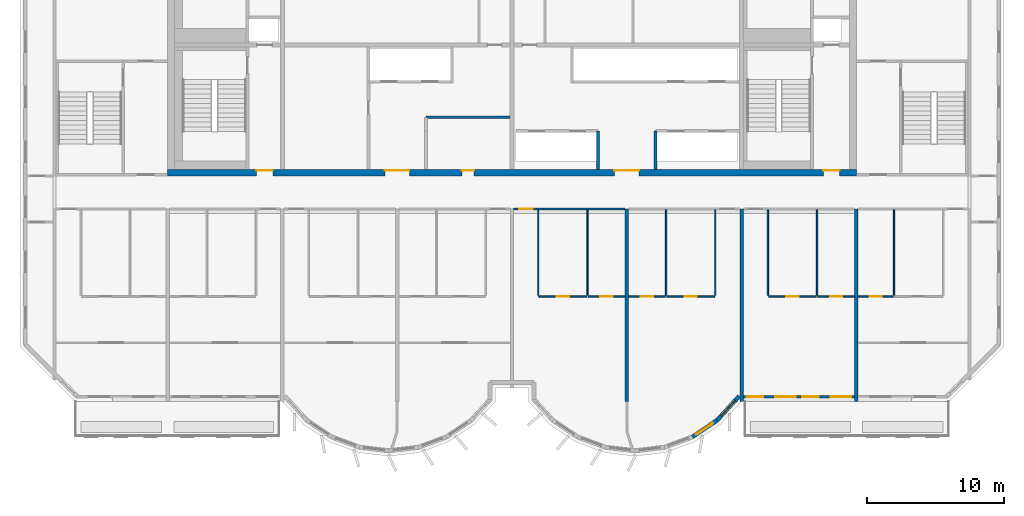
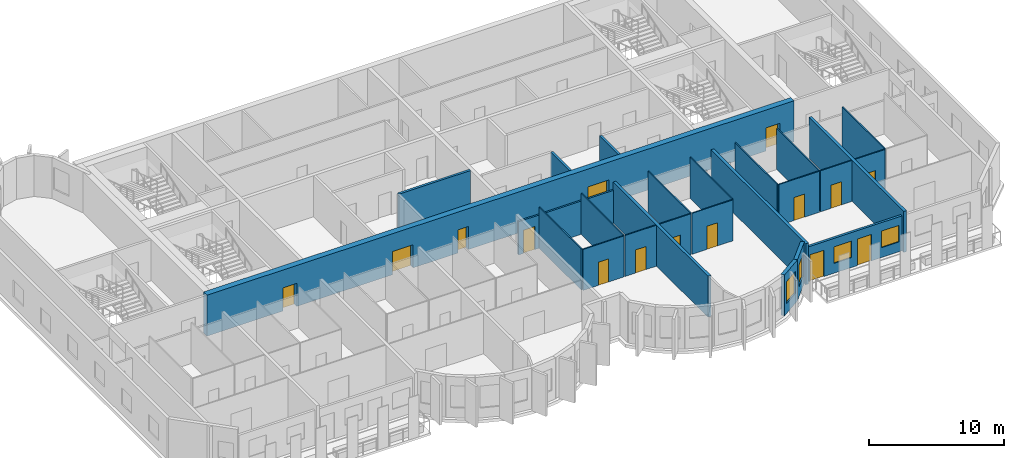
# One storey, part 5 of 12: 25 walls, 15 doors, 4 windows, 19 openings.
"""IFC4 building model written with IfcOpenShell, lengths in metres."""

from ifc_helpers import new_model, si_unit, direction, frame, frame_2d, origin, place, context, subcontext, project, spatial, rectangle, extrude, source, transform, mapped, material, layer, layer_set, type_object, element, fill, save


model = new_model("IFC4")

# Units and contexts
model_context = context("Model", 3, precision=1e-05, world=origin(), true_north=direction((0.0, 1.0)))
body_context = subcontext(model_context, "Body", "Model", "MODEL_VIEW")
ifc_project = project(units=[si_unit("LENGTHUNIT", "METRE"), si_unit("AREAUNIT", "SQUARE_METRE"), si_unit("VOLUMEUNIT", "CUBIC_METRE"), si_unit("PLANEANGLEUNIT", "RADIAN"), si_unit("MASSUNIT", "GRAM", prefix="KILO")], contexts=[model_context])

# Site, building, storey
site_placement = place(None, origin())
site = spatial("IfcSite", under=ifc_project, at=site_placement, CompositionType="ELEMENT")
building_placement = place(site_placement, origin())
building = spatial("IfcBuilding", under=site, at=building_placement, Name="Vanashikhar Sky Hotel", CompositionType="ELEMENT")
storey_placement = place(building_placement, frame((0.0, 0.0, 285.699951171875)))
storey = spatial("IfcBuildingStorey", under=building, at=storey_placement, Name="L68", CompositionType="ELEMENT", Elevation=285.699951171875)

# Wall, openings, doors
ifc_material_1 = material(Name="Concrete M50", Category="concrete")
ifc_layer_1 = layer(ifc_material_1, 0.5)
ifc_layer_set_1 = layer_set([ifc_layer_1], Name="RC core shell wall 500 Concrete M50")
wall_type_1 = type_object("IfcWallType", Name="RC core shell wall 500 Concrete M50", PredefinedType="SHEAR", material=ifc_layer_set_1)
shared_shape_1 = source(origin(), body_context, "Body", "SweptSolid", [
    extrude(rectangle(XDim=50.400146484375, YDim=0.5, at=frame_2d((25.2001953125, 0.0))), origin(), (0.0, 0.0, 1.0), 3.719970703125),
])
wall_1_placement = place(storey_placement, frame((25.199951171875, 22.25, 0.0), z_axis=(0.0, 0.0, 1.0), x_axis=(1.0, 0.0, 0.0)))
wall_1 = element("IfcWall", 1, at=wall_1_placement, inside=storey, type_object=wall_type_1, Name="KW-L68-KS", PredefinedType="SHEAR", context=body_context, shape_type="MappedRepresentation", body=[
    mapped(shared_shape_1, transform((0.0, 0.0, 0.0), scale=1.0)),
])
shared_shape_2 = source(origin(), body_context, "Body", "SweptSolid", [
    extrude(rectangle(XDim=1.800048828125, YDim=2.10009765625, at=frame_2d((0.89990234375, 1.050048828125))), frame((0.0, 0.260009765625, 0.0), z_axis=(0.0, -1.0, 0.0), x_axis=(1.0, 0.0, 0.0)), (0.0, 0.0, 1.0), 0.52001953125),
])
opening_1_placement = place(wall_1_placement, frame((15.89990234375, 0.0, 0.0)))
opening_1 = element("IfcOpeningElement", 2, at=opening_1_placement, cuts=wall_1, Name="Opening DC-3-A", PredefinedType="OPENING", context=body_context, shape_type="MappedRepresentation", body=[
    mapped(shared_shape_2, transform((0.0, 0.0, 0.0), scale=1.0)),
])
shared_shape_3 = source(origin(), body_context, "Body", "SweptSolid", [
    extrude(rectangle(XDim=0.89990234375, YDim=2.10009765625, at=frame_2d((0.449951171875, 1.050048828125))), frame((0.0, 0.260009765625, 0.0), z_axis=(0.0, -1.0, 0.0), x_axis=(1.0, 0.0, 0.0)), (0.0, 0.0, 1.0), 0.52001953125),
])
opening_2_placement = place(wall_1_placement, frame((21.52490234375, 0.0, 0.0)))
opening_2 = element("IfcOpeningElement", 3, at=opening_2_placement, cuts=wall_1, Name="Opening DC-4-A", PredefinedType="OPENING", context=body_context, shape_type="MappedRepresentation", body=[
    mapped(shared_shape_3, transform((0.0, 0.0, 0.0), scale=1.0)),
])
opening_3_placement = place(wall_1_placement, frame((32.699951171875, 0.0, 0.0)))
opening_3 = element("IfcOpeningElement", 4, at=opening_3_placement, cuts=wall_1, Name="Opening DC-3-A", PredefinedType="OPENING", context=body_context, shape_type="MappedRepresentation", body=[
    mapped(shared_shape_2, transform((0.0, 0.0, 0.0), scale=1.0)),
])
shared_shape_4 = source(origin(), body_context, "Body", "SweptSolid", [
    extrude(rectangle(XDim=1.199951171875, YDim=2.10009765625, at=frame_2d((0.60009765625, 1.050048828125))), frame((0.0, 0.260009765625, 0.0), z_axis=(0.0, -1.0, 0.0), x_axis=(1.0, 0.0, 0.0)), (0.0, 0.0, 1.0), 0.52001953125),
])
opening_4_placement = place(wall_1_placement, frame((6.5, 0.0, 0.0)))
opening_4 = element("IfcOpeningElement", 5, at=opening_4_placement, cuts=wall_1, Name="Opening DC-2", PredefinedType="OPENING", context=body_context, shape_type="MappedRepresentation", body=[
    mapped(shared_shape_4, transform((0.0, 0.0, 0.0), scale=1.0)),
])
opening_5_placement = place(wall_1_placement, frame((47.97509765625, 0.0, 0.0)))
opening_5 = element("IfcOpeningElement", 6, at=opening_5_placement, cuts=wall_1, Name="Opening DC-2", PredefinedType="OPENING", context=body_context, shape_type="MappedRepresentation", body=[
    mapped(shared_shape_4, transform((0.0, 0.0, 0.0), scale=1.0)),
])
ifc_material_2 = material(Name="Steel", Category="steel")
door_type_1 = type_object("IfcDoorType", Name="Firefighting lobby door 1200 FD120", OperationType="NOTDEFINED", PredefinedType="DOOR", material=ifc_material_2)
shared_shape_5 = source(origin(), body_context, "Body", "SweptSolid", [
    extrude(rectangle(XDim=1.199951171875, YDim=2.10009765625, at=frame_2d((0.60009765625, 1.050048828125))), frame((0.0, 0.1748046875, 0.0), z_axis=(0.0, -1.0, 0.0), x_axis=(1.0, 0.0, 0.0)), (0.0, 0.0, 1.0), 0.050048828125),
])
door_1_placement = place(opening_4_placement, origin())
door_1 = element("IfcDoor", 7, at=door_1_placement, inside=storey, type_object=door_type_1, Name="Firefighting lobby door 1200 FD120", OperationType="SINGLE_SWING_RIGHT", OverallHeight=2.10009765625, OverallWidth=1.199951171875, PredefinedType="DOOR", context=body_context, shape_type="MappedRepresentation", body=[
    mapped(shared_shape_5, transform((0.0, 0.0, 0.0), scale=1.0)),
])
fill(opening_4, door_1)
door_2_placement = place(opening_5_placement, origin())
door_2 = element("IfcDoor", 8, at=door_2_placement, inside=storey, type_object=door_type_1, Name="Firefighting lobby door 1200 FD120", OperationType="SINGLE_SWING_LEFT", OverallHeight=2.10009765625, OverallWidth=1.199951171875, PredefinedType="DOOR", context=body_context, shape_type="MappedRepresentation", body=[
    mapped(shared_shape_5, transform((0.0, 0.0, 0.0), scale=1.0)),
])
fill(opening_5, door_2)
door_type_2 = type_object("IfcDoorType", Name="Service door 900 FD60", OperationType="NOTDEFINED", PredefinedType="DOOR", material=ifc_material_2)
shared_shape_6 = source(origin(), body_context, "Body", "SweptSolid", [
    extrude(rectangle(XDim=0.89990234375, YDim=2.10009765625, at=frame_2d((0.449951171875, 1.050048828125))), frame((0.0, 0.1748046875, 0.0), z_axis=(0.0, -1.0, 0.0), x_axis=(1.0, 0.0, 0.0)), (0.0, 0.0, 1.0), 0.050048828125),
])
door_3_placement = place(opening_2_placement, origin())
door_3 = element("IfcDoor", 9, at=door_3_placement, inside=storey, type_object=door_type_2, Name="Service door 900 FD60", OperationType="SINGLE_SWING_RIGHT", OverallHeight=2.10009765625, OverallWidth=0.89990234375, PredefinedType="DOOR", context=body_context, shape_type="MappedRepresentation", body=[
    mapped(shared_shape_6, transform((0.0, 0.0, 0.0), scale=1.0)),
])
fill(opening_2, door_3)
ifc_material_3 = material(Name="Glass", Category="glass")
door_type_3 = type_object("IfcDoorType", Name="Lift lobby entrance door 1800 FD30S", OperationType="NOTDEFINED", PredefinedType="DOOR", material=ifc_material_3)
shared_shape_7 = source(origin(), body_context, "Body", "SweptSolid", [
    extrude(rectangle(XDim=1.800048828125, YDim=2.10009765625, at=frame_2d((0.89990234375, 1.050048828125))), frame((0.0, 0.1748046875, 0.0), z_axis=(0.0, -1.0, 0.0), x_axis=(1.0, 0.0, 0.0)), (0.0, 0.0, 1.0), 0.050048828125),
])
door_4_placement = place(opening_1_placement, origin())
door_4 = element("IfcDoor", 10, at=door_4_placement, inside=storey, type_object=door_type_3, Name="Lift lobby entrance door 1800 FD30S", OperationType="DOUBLE_DOOR_SINGLE_SWING", OverallHeight=2.10009765625, OverallWidth=1.800048828125, PredefinedType="DOOR", context=body_context, shape_type="MappedRepresentation", body=[
    mapped(shared_shape_7, transform((0.0, 0.0, 0.0), scale=1.0)),
])
fill(opening_1, door_4)
door_5_placement = place(opening_3_placement, origin())
door_5 = element("IfcDoor", 11, at=door_5_placement, inside=storey, type_object=door_type_3, Name="Lift lobby entrance door 1800 FD30S", OperationType="DOUBLE_DOOR_SINGLE_SWING", OverallHeight=2.10009765625, OverallWidth=1.800048828125, PredefinedType="DOOR", context=body_context, shape_type="MappedRepresentation", body=[
    mapped(shared_shape_7, transform((0.0, 0.0, 0.0), scale=1.0)),
])
fill(opening_3, door_5)

# Walls
ifc_layer_2 = layer(ifc_material_1, 0.25)
ifc_layer_set_2 = layer_set([ifc_layer_2], Name="RC shear wall 250 Concrete M50")
wall_type_2 = type_object("IfcWallType", Name="RC shear wall 250 Concrete M50", PredefinedType="SHEAR", material=ifc_layer_set_2)
shared_shape_8 = source(origin(), body_context, "Body", "SweptSolid", [
    extrude(rectangle(XDim=14.10009765625, YDim=0.25, at=frame_2d((7.050048828125, 0.0))), origin(), (0.0, 0.0, 1.0), 3.719970703125),
])
for number, where, z_axis, x_axis, name in (
    (12, (58.800048828125, 5.5, 0.0), (0.0, 0.0, 1.0), (0.0, 1.0, 0.0), "CW-L68-XW08-1"),
    (13, (67.199951171875, 5.5, 0.0), (0.0, 0.0, 1.0), (0.0, 1.0, 0.0), "CW-L68-XW09-1"),
    (14, (75.60009765625, 5.5, 0.0), (0.0, 0.0, 1.0), (0.0, 1.0, 0.0), "CW-L68-XW10-1"),
):
    element("IfcWall", number, at=place(storey_placement, frame(where, z_axis=z_axis, x_axis=x_axis)), inside=storey, type_object=wall_type_2, Name=name, PredefinedType="SHEAR", context=body_context, shape_type="MappedRepresentation", body=[
        mapped(shared_shape_8, transform((0.0, 0.0, 0.0), scale=1.0)),
    ])

# Wall, openings, windows, doors
ifc_layer_3 = layer(ifc_material_1, 0.199951171875)
ifc_layer_set_3 = layer_set([ifc_layer_3], Name="Front window wall 200")
wall_type_3 = type_object("IfcWallType", Name="Front window wall 200", PredefinedType="SOLIDWALL", material=ifc_layer_set_3)
shared_shape_9 = source(origin(), body_context, "Body", "SweptSolid", [
    extrude(rectangle(XDim=8.150146484375, YDim=0.199951171875, at=frame_2d((4.0751953125, 0.0))), origin(), (0.0, 0.0, 1.0), 3.170166015625),
])
wall_2_placement = place(storey_placement, frame((67.324951171875, 5.85009765625, 0.0), z_axis=(0.0, 0.0, 1.0), x_axis=(1.0, 0.0, 0.0)))
wall_2 = element("IfcWall", 15, at=wall_2_placement, inside=storey, type_object=wall_type_3, Name="Front window wall", PredefinedType="SOLIDWALL", context=body_context, shape_type="MappedRepresentation", body=[
    mapped(shared_shape_9, transform((0.0, 0.0, 0.0), scale=1.0)),
])
shared_shape_10 = source(origin(), body_context, "Body", "SweptSolid", [
    extrude(rectangle(XDim=1.199951171875, YDim=2.39990234375, at=frame_2d((0.60009765625, 1.199951171875))), frame((0.0, 0.10986328125, 0.0), z_axis=(0.0, -1.0, 0.0), x_axis=(1.0, 0.0, 0.0)), (0.0, 0.0, 1.0), 0.219970703125),
])
opening_6_placement = place(wall_2_placement, frame((0.25, 0.0, 0.0)))
opening_6 = element("IfcOpeningElement", 16, at=opening_6_placement, cuts=wall_2, Name="Opening BD-03", PredefinedType="OPENING", context=body_context, shape_type="MappedRepresentation", body=[
    mapped(shared_shape_10, transform((0.0, 0.0, 0.0), scale=1.0)),
])
shared_shape_11 = source(origin(), body_context, "Body", "SweptSolid", [
    extrude(rectangle(XDim=1.5, YDim=1.5, at=frame_2d((0.75, 0.75))), frame((0.0, 0.10986328125, 0.0), z_axis=(0.0, -1.0, 0.0), x_axis=(1.0, 0.0, 0.0)), (0.0, 0.0, 1.0), 0.219970703125),
])
opening_7_placement = place(wall_2_placement, frame((2.324951171875, 0.0, 0.89990234375)))
opening_7 = element("IfcOpeningElement", 17, at=opening_7_placement, cuts=wall_2, Name="Opening WN-1", PredefinedType="OPENING", context=body_context, shape_type="MappedRepresentation", body=[
    mapped(shared_shape_11, transform((0.0, 0.0, 0.0), scale=1.0)),
])
opening_8_placement = place(wall_2_placement, frame((4.324951171875, 0.0, 0.0)))
opening_8 = element("IfcOpeningElement", 18, at=opening_8_placement, cuts=wall_2, Name="Opening BD-04", PredefinedType="OPENING", context=body_context, shape_type="MappedRepresentation", body=[
    mapped(shared_shape_10, transform((0.0, 0.0, 0.0), scale=1.0)),
])
opening_9_placement = place(wall_2_placement, frame((6.39990234375, 0.0, 0.89990234375)))
opening_9 = element("IfcOpeningElement", 19, at=opening_9_placement, cuts=wall_2, Name="Opening WN-1", PredefinedType="OPENING", context=body_context, shape_type="MappedRepresentation", body=[
    mapped(shared_shape_11, transform((0.0, 0.0, 0.0), scale=1.0)),
])
window_type_1 = type_object("IfcWindowType", Name="Window 1500 x 1500", PartitioningType="SINGLE_PANEL", PredefinedType="WINDOW", material=ifc_material_3)
shared_shape_12 = source(origin(), body_context, "Body", "SweptSolid", [
    extrude(rectangle(XDim=1.5, YDim=1.5, at=frame_2d((0.75, 0.75))), frame((0.0, 0.030029296875, 0.0), z_axis=(0.0, -1.0, 0.0), x_axis=(1.0, 0.0, 0.0)), (0.0, 0.0, 1.0), 0.06005859375),
])
window_1_placement = place(opening_7_placement, origin())
window_1 = element("IfcWindow", 20, at=window_1_placement, inside=storey, type_object=window_type_1, Name="Window WN-1", OverallHeight=1.5, OverallWidth=1.5, PartitioningType="SINGLE_PANEL", PredefinedType="WINDOW", context=body_context, shape_type="MappedRepresentation", body=[
    mapped(shared_shape_12, transform((0.0, 0.0, 0.0), scale=1.0)),
])
fill(opening_7, window_1)
window_2_placement = place(opening_9_placement, origin())
window_2 = element("IfcWindow", 21, at=window_2_placement, inside=storey, type_object=window_type_1, Name="Window WN-1", OverallHeight=1.5, OverallWidth=1.5, PartitioningType="SINGLE_PANEL", PredefinedType="WINDOW", context=body_context, shape_type="MappedRepresentation", body=[
    mapped(shared_shape_12, transform((0.0, 0.0, 0.0), scale=1.0)),
])
fill(opening_9, window_2)
ifc_material_4 = material(Name="Aluminium", Category="aluminium")
door_type_4 = type_object("IfcDoorType", Name="Balcony sliding door 1200 x 2400", OperationType="NOTDEFINED", PredefinedType="DOOR", material=ifc_material_4)
shared_shape_13 = source(origin(), body_context, "Body", "SweptSolid", [
    extrude(rectangle(XDim=1.199951171875, YDim=2.39990234375, at=frame_2d((0.60009765625, 1.199951171875))), frame((0.0, 0.02490234375, 0.0), z_axis=(0.0, -1.0, 0.0), x_axis=(1.0, 0.0, 0.0)), (0.0, 0.0, 1.0), 0.050048828125),
])
door_6_placement = place(opening_6_placement, origin())
door_6 = element("IfcDoor", 22, at=door_6_placement, inside=storey, type_object=door_type_4, Name="Balcony sliding door", OperationType="SLIDING_TO_LEFT", OverallHeight=2.39990234375, OverallWidth=1.199951171875, PredefinedType="DOOR", context=body_context, shape_type="MappedRepresentation", body=[
    mapped(shared_shape_13, transform((0.0, 0.0, 0.0), scale=1.0)),
])
fill(opening_6, door_6)
door_7_placement = place(opening_8_placement, origin())
door_7 = element("IfcDoor", 23, at=door_7_placement, inside=storey, type_object=door_type_4, Name="Balcony sliding door", OperationType="SLIDING_TO_RIGHT", OverallHeight=2.39990234375, OverallWidth=1.199951171875, PredefinedType="DOOR", context=body_context, shape_type="MappedRepresentation", body=[
    mapped(shared_shape_13, transform((0.0, 0.0, 0.0), scale=1.0)),
])
fill(opening_8, door_7)

# Wall, opening, window
ifc_layer_4 = layer(ifc_material_1, 0.300048828125)
ifc_layer_set_4 = layer_set([ifc_layer_4], Name="Lobe wall 300")
wall_type_4 = type_object("IfcWallType", Name="Lobe wall 300", PredefinedType="SOLIDWALL", material=ifc_layer_set_4)
shared_shape_14 = source(origin(), body_context, "Body", "SweptSolid", [
    extrude(rectangle(XDim=2.398193359375, YDim=0.300048828125, at=frame_2d((1.19921875, 0.0))), origin(), (0.0, 0.0, 1.0), 3.719970703125),
])
wall_3_placement = place(storey_placement, frame((65.404296875, 4.13134765625, 0.0), z_axis=(0.0, 0.0, 1.0), x_axis=(0.675374189419, 0.737475222815, 0.0)))
wall_3 = element("IfcWall", 24, at=wall_3_placement, inside=storey, type_object=wall_type_4, Name="Lobe wall", PredefinedType="SOLIDWALL", context=body_context, shape_type="MappedRepresentation", body=[
    mapped(shared_shape_14, transform((0.0, 0.0, 0.0), scale=1.0)),
])
shared_shape_15 = source(origin(), body_context, "Body", "SweptSolid", [
    extrude(rectangle(XDim=1.5, YDim=2.0, at=frame_2d((0.75, 1.0))), frame((0.0, 0.16015625, 0.0), z_axis=(0.0, -1.0, 0.0), x_axis=(1.0, 0.0, 0.0)), (0.0, 0.0, 1.0), 0.320068359375),
])
opening_10_placement = place(wall_3_placement, frame((0.44921875, 0.0, 0.89990234375)))
opening_10 = element("IfcOpeningElement", 25, at=opening_10_placement, cuts=wall_3, Name="Opening WN-2", PredefinedType="OPENING", context=body_context, shape_type="MappedRepresentation", body=[
    mapped(shared_shape_15, transform((0.0, 0.0, 0.0), scale=1.0)),
])
window_type_2 = type_object("IfcWindowType", Name="Lobe window 1500 x 2000", PartitioningType="SINGLE_PANEL", PredefinedType="WINDOW", material=ifc_material_3)
shared_shape_16 = source(origin(), body_context, "Body", "SweptSolid", [
    extrude(rectangle(XDim=1.5, YDim=2.0, at=frame_2d((0.75, 1.0))), frame((0.0, 0.030029296875, 0.0), z_axis=(0.0, -1.0, 0.0), x_axis=(1.0, 0.0, 0.0)), (0.0, 0.0, 1.0), 0.06005859375),
])
window_3_placement = place(opening_10_placement, origin())
window_3 = element("IfcWindow", 26, at=window_3_placement, inside=storey, type_object=window_type_2, Name="Window WN-2", OverallHeight=2.0, OverallWidth=1.5, PartitioningType="SINGLE_PANEL", PredefinedType="WINDOW", context=body_context, shape_type="MappedRepresentation", body=[
    mapped(shared_shape_16, transform((0.0, 0.0, 0.0), scale=1.0)),
])
fill(opening_10, window_3)

shared_shape_17 = source(origin(), body_context, "Body", "SweptSolid", [
    extrude(rectangle(XDim=2.17578125, YDim=0.300048828125, at=frame_2d((1.087890625, 0.0))), origin(), (0.0, 0.0, 1.0), 3.719970703125),
])
wall_4_placement = place(storey_placement, frame((63.59912109375, 2.91650390625, 0.0), z_axis=(0.0, 0.0, 1.0), x_axis=(0.829625727223, 0.558319937607, 0.0)))
wall_4 = element("IfcWall", 27, at=wall_4_placement, inside=storey, type_object=wall_type_4, Name="Lobe wall", PredefinedType="SOLIDWALL", context=body_context, shape_type="MappedRepresentation", body=[
    mapped(shared_shape_17, transform((0.0, 0.0, 0.0), scale=1.0)),
])
opening_11_placement = place(wall_4_placement, frame((0.337890625, 0.0, 0.89990234375)))
opening_11 = element("IfcOpeningElement", 28, at=opening_11_placement, cuts=wall_4, Name="Opening WN-2", PredefinedType="OPENING", context=body_context, shape_type="MappedRepresentation", body=[
    mapped(shared_shape_15, transform((0.0, 0.0, 0.0), scale=1.0)),
])
window_4_placement = place(opening_11_placement, origin())
window_4 = element("IfcWindow", 29, at=window_4_placement, inside=storey, type_object=window_type_2, Name="Window WN-2", OverallHeight=2.0, OverallWidth=1.5, PartitioningType="SINGLE_PANEL", PredefinedType="WINDOW", context=body_context, shape_type="MappedRepresentation", body=[
    mapped(shared_shape_16, transform((0.0, 0.0, 0.0), scale=1.0)),
])
fill(opening_11, window_4)

# Walls
ifc_material_5 = material(Name="Concrete M40", Category="concrete")
ifc_layer_5 = layer(ifc_material_5, 0.199951171875)
ifc_layer_set_5 = layer_set([ifc_layer_5], Name="Shaft wall 200")
wall_type_5 = type_object("IfcWallType", Name="Shaft wall 200", PredefinedType="SOLIDWALL", material=ifc_layer_set_5)
shared_shape_18 = source(origin(), body_context, "Body", "SweptSolid", [
    extrude(rectangle(XDim=2.800048828125, YDim=0.199951171875, at=frame_2d((1.39990234375, 0.0))), origin(), (0.0, 0.0, 1.0), 3.719970703125),
])
for number, where, z_axis, x_axis, name in (
    (30, (60.89990234375, 22.5, 0.0), (0.0, 0.0, 1.0), (0.0, 1.0, 0.0), "Shaft wall 200"),
    (31, (56.699951171875, 22.5, 0.0), (0.0, 0.0, 1.0), (0.0, 1.0, 0.0), "Shaft wall 200"),
):
    element("IfcWall", number, at=place(storey_placement, frame(where, z_axis=z_axis, x_axis=x_axis)), inside=storey, type_object=wall_type_5, Name=name, PredefinedType="SOLIDWALL", context=body_context, shape_type="MappedRepresentation", body=[
        mapped(shared_shape_18, transform((0.0, 0.0, 0.0), scale=1.0)),
    ])
ifc_material_6 = material(Name="Gypsum board partition")
ifc_layer_6 = layer(ifc_material_6, 0.14990234375)
ifc_layer_set_6 = layer_set([ifc_layer_6], Name="Service partition 150")
wall_type_6 = type_object("IfcWallType", Name="Service partition 150", PredefinedType="PARTITIONING", material=ifc_layer_set_6)
shared_shape_19 = source(origin(), body_context, "Body", "SweptSolid", [
    extrude(rectangle(XDim=6.14990234375, YDim=0.199951171875, at=frame_2d((3.074951171875, 0.0))), origin(), (0.0, 0.0, 1.0), 3.719970703125),
])
wall_5_placement = place(storey_placement, frame((44.10009765625, 26.300048828125, 0.0), z_axis=(0.0, 0.0, 1.0), x_axis=(1.0, 0.0, 0.0)))
element("IfcWall", 32, at=wall_5_placement, inside=storey, type_object=wall_type_6, Name="Service partition 150", PredefinedType="PARTITIONING", context=body_context, shape_type="MappedRepresentation", body=[
    mapped(shared_shape_19, transform((0.0, 0.0, 0.0), scale=1.0)),
])
ifc_material_7 = material(Name="Gypsum plasterboard partition")
ifc_layer_7 = layer(ifc_material_7, 0.10009765625)
ifc_layer_set_7 = layer_set([ifc_layer_7], Name="Wet room partition 100")
wall_type_7 = type_object("IfcWallType", Name="Wet room partition 100", PredefinedType="PARTITIONING", material=ifc_layer_set_7)
shared_shape_20 = source(origin(), body_context, "Body", "SweptSolid", [
    extrude(rectangle(XDim=6.25, YDim=0.10009765625, at=frame_2d((3.125, 0.0))), origin(), (0.0, 0.0, 1.0), 3.719970703125),
])
for number, where, z_axis, x_axis, name in (
    (33, (52.324951171875, 13.27490234375, 0.0), (0.0, 0.0, 1.0), (0.0, 1.0, 0.0), "W-L68-PW025"),
    (34, (55.925048828125, 13.27490234375, 0.0), (0.0, 0.0, 1.0), (0.0, 1.0, 0.0), "W-L68-PW026"),
    (35, (65.27490234375, 13.27490234375, 0.0), (0.0, 0.0, 1.0), (0.0, 1.0, 0.0), "W-L68-PW030"),
    (36, (61.675048828125, 13.27490234375, 0.0), (0.0, 0.0, 1.0), (0.0, 1.0, 0.0), "W-L68-PW031"),
    (37, (69.125, 13.27490234375, 0.0), (0.0, 0.0, 1.0), (0.0, 1.0, 0.0), "W-L68-PW035"),
    (38, (72.72509765625, 13.27490234375, 0.0), (0.0, 0.0, 1.0), (0.0, 1.0, 0.0), "W-L68-PW036"),
    (39, (78.35009765625, 13.27490234375, 0.0), (0.0, 0.0, 1.0), (0.0, 1.0, 0.0), "W-L68-PW041"),
):
    element("IfcWall", number, at=place(storey_placement, frame(where, z_axis=z_axis, x_axis=x_axis)), inside=storey, type_object=wall_type_7, Name=name, PredefinedType="PARTITIONING", context=body_context, shape_type="MappedRepresentation", body=[
        mapped(shared_shape_20, transform((0.0, 0.0, 0.0), scale=1.0)),
    ])

# Wall, opening, door
shared_shape_21 = source(origin(), body_context, "Body", "SweptSolid", [
    extrude(rectangle(XDim=3.5, YDim=0.10009765625, at=frame_2d((1.75, 0.0))), origin(), (0.0, 0.0, 1.0), 3.719970703125),
])
wall_6_placement = place(storey_placement, frame((52.375, 13.199951171875, 0.0), z_axis=(0.0, 0.0, 1.0), x_axis=(1.0, 0.0, 0.0)))
wall_6 = element("IfcWall", 40, at=wall_6_placement, inside=storey, type_object=wall_type_7, Name="W-L68-PW027", PredefinedType="PARTITIONING", context=body_context, shape_type="MappedRepresentation", body=[
    mapped(shared_shape_21, transform((0.0, 0.0, 0.0), scale=1.0)),
])
shared_shape_22 = source(origin(), body_context, "Body", "SweptSolid", [
    extrude(rectangle(XDim=0.89990234375, YDim=2.10009765625, at=frame_2d((0.449951171875, 1.050048828125))), frame((0.0, 0.06005859375, 0.0), z_axis=(0.0, -1.0, 0.0), x_axis=(1.0, 0.0, 0.0)), (0.0, 0.0, 1.0), 0.1201171875),
])
opening_12_placement = place(wall_6_placement, frame((1.300048828125, 0.0, 0.0)))
opening_12 = element("IfcOpeningElement", 41, at=opening_12_placement, cuts=wall_6, Name="Opening D-02", PredefinedType="OPENING", context=body_context, shape_type="MappedRepresentation", body=[
    mapped(shared_shape_22, transform((0.0, 0.0, 0.0), scale=1.0)),
])
ifc_material_8 = material(Name="Timber door", Category="wood")
door_type_5 = type_object("IfcDoorType", Name="Internal door 900", OperationType="NOTDEFINED", PredefinedType="DOOR", material=ifc_material_8)
shared_shape_23 = source(origin(), body_context, "Body", "SweptSolid", [
    extrude(rectangle(XDim=0.89990234375, YDim=2.10009765625, at=frame_2d((0.449951171875, 1.050048828125))), frame((0.0, 0.02490234375, 0.0), z_axis=(0.0, -1.0, 0.0), x_axis=(1.0, 0.0, 0.0)), (0.0, 0.0, 1.0), 0.050048828125),
])
door_8_placement = place(opening_12_placement, origin())
door_8 = element("IfcDoor", 42, at=door_8_placement, inside=storey, type_object=door_type_5, Name="D-L68-017", OperationType="SINGLE_SWING_LEFT", OverallHeight=2.10009765625, OverallWidth=0.89990234375, PredefinedType="DOOR", context=body_context, shape_type="MappedRepresentation", body=[
    mapped(shared_shape_23, transform((0.0, 0.0, 0.0), scale=1.0)),
])
fill(opening_12, door_8)

wall_7_placement = place(storey_placement, frame((61.72509765625, 13.199951171875, 0.0), z_axis=(0.0, 0.0, 1.0), x_axis=(1.0, 0.0, 0.0)))
wall_7 = element("IfcWall", 43, at=wall_7_placement, inside=storey, type_object=wall_type_7, Name="W-L68-PW032", PredefinedType="PARTITIONING", context=body_context, shape_type="MappedRepresentation", body=[
    mapped(shared_shape_21, transform((0.0, 0.0, 0.0), scale=1.0)),
])
opening_13_placement = place(wall_7_placement, frame((1.300048828125, 0.0, 0.0)))
opening_13 = element("IfcOpeningElement", 44, at=opening_13_placement, cuts=wall_7, Name="Opening D-02", PredefinedType="OPENING", context=body_context, shape_type="MappedRepresentation", body=[
    mapped(shared_shape_22, transform((0.0, 0.0, 0.0), scale=1.0)),
])
door_9_placement = place(opening_13_placement, origin())
door_9 = element("IfcDoor", 45, at=door_9_placement, inside=storey, type_object=door_type_5, Name="D-L68-020", OperationType="SINGLE_SWING_RIGHT", OverallHeight=2.10009765625, OverallWidth=0.89990234375, PredefinedType="DOOR", context=body_context, shape_type="MappedRepresentation", body=[
    mapped(shared_shape_23, transform((0.0, 0.0, 0.0), scale=1.0)),
])
fill(opening_13, door_9)

wall_8_placement = place(storey_placement, frame((69.175048828125, 13.199951171875, 0.0), z_axis=(0.0, 0.0, 1.0), x_axis=(1.0, 0.0, 0.0)))
wall_8 = element("IfcWall", 46, at=wall_8_placement, inside=storey, type_object=wall_type_7, Name="W-L68-PW037", PredefinedType="PARTITIONING", context=body_context, shape_type="MappedRepresentation", body=[
    mapped(shared_shape_21, transform((0.0, 0.0, 0.0), scale=1.0)),
])
opening_14_placement = place(wall_8_placement, frame((1.300048828125, 0.0, 0.0)))
opening_14 = element("IfcOpeningElement", 47, at=opening_14_placement, cuts=wall_8, Name="Opening D-02", PredefinedType="OPENING", context=body_context, shape_type="MappedRepresentation", body=[
    mapped(shared_shape_22, transform((0.0, 0.0, 0.0), scale=1.0)),
])
door_10_placement = place(opening_14_placement, origin())
door_10 = element("IfcDoor", 48, at=door_10_placement, inside=storey, type_object=door_type_5, Name="D-L68-023", OperationType="SINGLE_SWING_LEFT", OverallHeight=2.10009765625, OverallWidth=0.89990234375, PredefinedType="DOOR", context=body_context, shape_type="MappedRepresentation", body=[
    mapped(shared_shape_23, transform((0.0, 0.0, 0.0), scale=1.0)),
])
fill(opening_14, door_10)

shared_shape_24 = source(origin(), body_context, "Body", "SweptSolid", [
    extrude(rectangle(XDim=2.574951171875, YDim=0.10009765625, at=frame_2d((1.28759765625, 0.0))), origin(), (0.0, 0.0, 1.0), 3.719970703125),
])
wall_9_placement = place(storey_placement, frame((75.72509765625, 13.199951171875, 0.0), z_axis=(0.0, 0.0, 1.0), x_axis=(1.0, 0.0, 0.0)))
wall_9 = element("IfcWall", 49, at=wall_9_placement, inside=storey, type_object=wall_type_7, Name="W-L68-PW043", PredefinedType="PARTITIONING", context=body_context, shape_type="MappedRepresentation", body=[
    mapped(shared_shape_24, transform((0.0, 0.0, 0.0), scale=1.0)),
])
opening_15_placement = place(wall_9_placement, frame((0.837890625, 0.0, 0.0)))
opening_15 = element("IfcOpeningElement", 50, at=opening_15_placement, cuts=wall_9, Name="Opening D-02", PredefinedType="OPENING", context=body_context, shape_type="MappedRepresentation", body=[
    mapped(shared_shape_22, transform((0.0, 0.0, 0.0), scale=1.0)),
])
door_11_placement = place(opening_15_placement, origin())
door_11 = element("IfcDoor", 51, at=door_11_placement, inside=storey, type_object=door_type_5, Name="D-L68-027", OperationType="SINGLE_SWING_RIGHT", OverallHeight=2.10009765625, OverallWidth=0.89990234375, PredefinedType="DOOR", context=body_context, shape_type="MappedRepresentation", body=[
    mapped(shared_shape_23, transform((0.0, 0.0, 0.0), scale=1.0)),
])
fill(opening_15, door_11)

shared_shape_25 = source(origin(), body_context, "Body", "SweptSolid", [
    extrude(rectangle(XDim=2.699951171875, YDim=0.10009765625, at=frame_2d((1.35009765625, 0.0))), origin(), (0.0, 0.0, 1.0), 3.719970703125),
])
wall_10_placement = place(storey_placement, frame((55.97509765625, 13.199951171875, 0.0), z_axis=(0.0, 0.0, 1.0), x_axis=(1.0, 0.0, 0.0)))
wall_10 = element("IfcWall", 52, at=wall_10_placement, inside=storey, type_object=wall_type_7, Name="W-L68-PW028", PredefinedType="PARTITIONING", context=body_context, shape_type="MappedRepresentation", body=[
    mapped(shared_shape_25, transform((0.0, 0.0, 0.0), scale=1.0)),
])
opening_16_placement = place(wall_10_placement, frame((0.89990234375, 0.0, 0.0)))
opening_16 = element("IfcOpeningElement", 53, at=opening_16_placement, cuts=wall_10, Name="Opening D-02", PredefinedType="OPENING", context=body_context, shape_type="MappedRepresentation", body=[
    mapped(shared_shape_22, transform((0.0, 0.0, 0.0), scale=1.0)),
])
door_12_placement = place(opening_16_placement, origin())
door_12 = element("IfcDoor", 54, at=door_12_placement, inside=storey, type_object=door_type_5, Name="D-L68-018", OperationType="SINGLE_SWING_LEFT", OverallHeight=2.10009765625, OverallWidth=0.89990234375, PredefinedType="DOOR", context=body_context, shape_type="MappedRepresentation", body=[
    mapped(shared_shape_23, transform((0.0, 0.0, 0.0), scale=1.0)),
])
fill(opening_16, door_12)

wall_11_placement = place(storey_placement, frame((58.925048828125, 13.199951171875, 0.0), z_axis=(0.0, 0.0, 1.0), x_axis=(1.0, 0.0, 0.0)))
wall_11 = element("IfcWall", 55, at=wall_11_placement, inside=storey, type_object=wall_type_7, Name="W-L68-PW033", PredefinedType="PARTITIONING", context=body_context, shape_type="MappedRepresentation", body=[
    mapped(shared_shape_25, transform((0.0, 0.0, 0.0), scale=1.0)),
])
opening_17_placement = place(wall_11_placement, frame((0.89990234375, 0.0, 0.0)))
opening_17 = element("IfcOpeningElement", 56, at=opening_17_placement, cuts=wall_11, Name="Opening D-02", PredefinedType="OPENING", context=body_context, shape_type="MappedRepresentation", body=[
    mapped(shared_shape_22, transform((0.0, 0.0, 0.0), scale=1.0)),
])
door_13_placement = place(opening_17_placement, origin())
door_13 = element("IfcDoor", 57, at=door_13_placement, inside=storey, type_object=door_type_5, Name="D-L68-021", OperationType="SINGLE_SWING_RIGHT", OverallHeight=2.10009765625, OverallWidth=0.89990234375, PredefinedType="DOOR", context=body_context, shape_type="MappedRepresentation", body=[
    mapped(shared_shape_23, transform((0.0, 0.0, 0.0), scale=1.0)),
])
fill(opening_17, door_13)

ifc_layer_8 = layer(ifc_material_7, 0.14990234375)
ifc_layer_set_8 = layer_set([ifc_layer_8], Name="Corridor and demising partition 150")
wall_type_8 = type_object("IfcWallType", Name="Corridor and demising partition 150", PredefinedType="PARTITIONING", material=ifc_layer_set_8)
shared_shape_26 = source(origin(), body_context, "Body", "SweptSolid", [
    extrude(rectangle(XDim=8.150146484375, YDim=0.14990234375, at=frame_2d((4.0751953125, 0.0))), origin(), (0.0, 0.0, 1.0), 3.02001953125),
])
wall_12_placement = place(storey_placement, frame((50.52490234375, 19.60009765625, 0.0), z_axis=(0.0, 0.0, 1.0), x_axis=(1.0, 0.0, 0.0)))
wall_12 = element("IfcWall", 58, at=wall_12_placement, inside=storey, type_object=wall_type_8, Name="W-L68-PW029", PredefinedType="PARTITIONING", context=body_context, shape_type="MappedRepresentation", body=[
    mapped(shared_shape_26, transform((0.0, 0.0, 0.0), scale=1.0)),
])
shared_shape_27 = source(origin(), body_context, "Body", "SweptSolid", [
    extrude(rectangle(XDim=1.0, YDim=2.10009765625, at=frame_2d((0.5, 1.050048828125))), frame((0.0, 0.0849609375, 0.0), z_axis=(0.0, -1.0, 0.0), x_axis=(1.0, 0.0, 0.0)), (0.0, 0.0, 1.0), 0.169921875),
])
opening_18_placement = place(wall_12_placement, frame((0.39990234375, 0.0, 0.0)))
opening_18 = element("IfcOpeningElement", 59, at=opening_18_placement, cuts=wall_12, Name="Opening D-01", PredefinedType="OPENING", context=body_context, shape_type="MappedRepresentation", body=[
    mapped(shared_shape_27, transform((0.0, 0.0, 0.0), scale=1.0)),
])
ifc_material_9 = material(Name="Timber fire door", Category="wood")
door_type_6 = type_object("IfcDoorType", Name="Guest entry door 1000 FD30S", OperationType="NOTDEFINED", PredefinedType="DOOR", material=ifc_material_9)
shared_shape_28 = source(origin(), body_context, "Body", "SweptSolid", [
    extrude(rectangle(XDim=1.0, YDim=2.10009765625, at=frame_2d((0.5, 1.050048828125))), frame((0.0, 0.02490234375, 0.0), z_axis=(0.0, -1.0, 0.0), x_axis=(1.0, 0.0, 0.0)), (0.0, 0.0, 1.0), 0.050048828125),
])
door_14_placement = place(opening_18_placement, origin())
door_14 = element("IfcDoor", 60, at=door_14_placement, inside=storey, type_object=door_type_6, Name="D-L68-019", OperationType="SINGLE_SWING_LEFT", OverallHeight=2.10009765625, OverallWidth=1.0, PredefinedType="DOOR", context=body_context, shape_type="MappedRepresentation", body=[
    mapped(shared_shape_28, transform((0.0, 0.0, 0.0), scale=1.0)),
])
fill(opening_18, door_14)

shared_shape_29 = source(origin(), body_context, "Body", "SweptSolid", [
    extrude(rectangle(XDim=2.7001953125, YDim=0.10009765625, at=frame_2d((1.35009765625, 0.0))), origin(), (0.0, 0.0, 1.0), 3.719970703125),
])
wall_13_placement = place(storey_placement, frame((72.77490234375, 13.199951171875, 0.0), z_axis=(0.0, 0.0, 1.0), x_axis=(1.0, 0.0, 0.0)))
wall_13 = element("IfcWall", 61, at=wall_13_placement, inside=storey, type_object=wall_type_7, Name="W-L68-PW038", PredefinedType="PARTITIONING", context=body_context, shape_type="MappedRepresentation", body=[
    mapped(shared_shape_29, transform((0.0, 0.0, 0.0), scale=1.0)),
])
opening_19_placement = place(wall_13_placement, frame((0.89990234375, 0.0, 0.0)))
opening_19 = element("IfcOpeningElement", 62, at=opening_19_placement, cuts=wall_13, Name="Opening D-02", PredefinedType="OPENING", context=body_context, shape_type="MappedRepresentation", body=[
    mapped(shared_shape_22, transform((0.0, 0.0, 0.0), scale=1.0)),
])
door_15_placement = place(opening_19_placement, origin())
door_15 = element("IfcDoor", 63, at=door_15_placement, inside=storey, type_object=door_type_5, Name="D-L68-024", OperationType="SINGLE_SWING_LEFT", OverallHeight=2.10009765625, OverallWidth=0.89990234375, PredefinedType="DOOR", context=body_context, shape_type="MappedRepresentation", body=[
    mapped(shared_shape_23, transform((0.0, 0.0, 0.0), scale=1.0)),
])
fill(opening_19, door_15)

save(model, "model.ifc")
